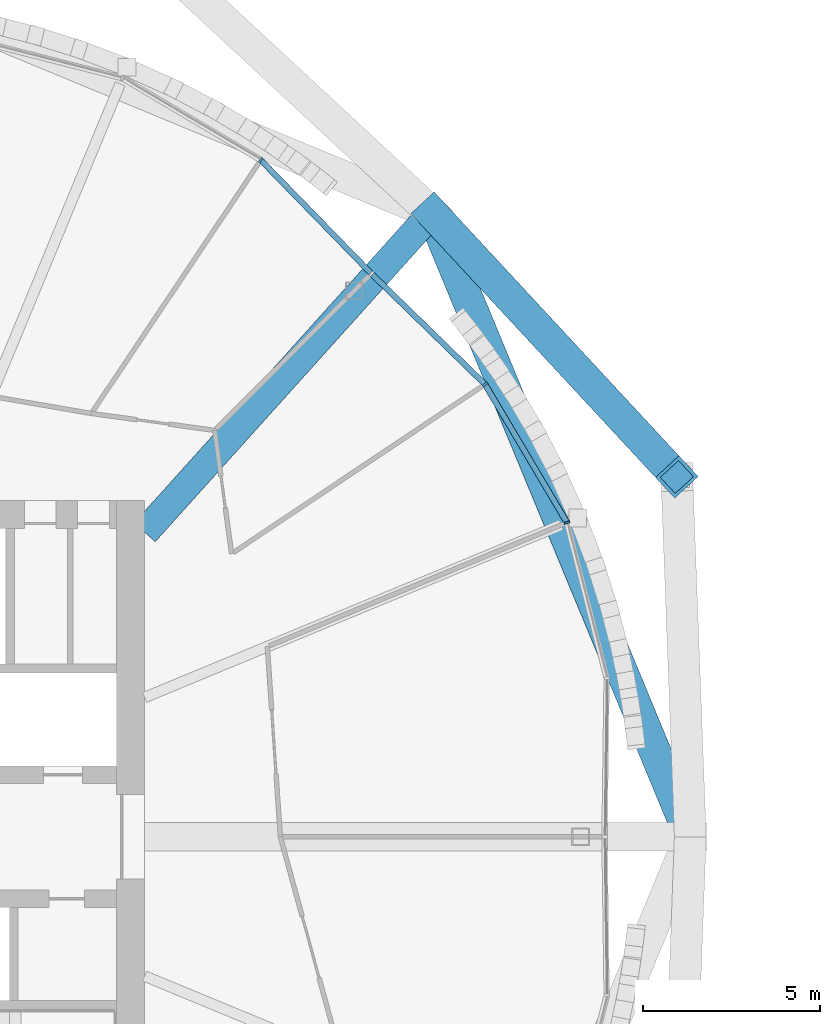
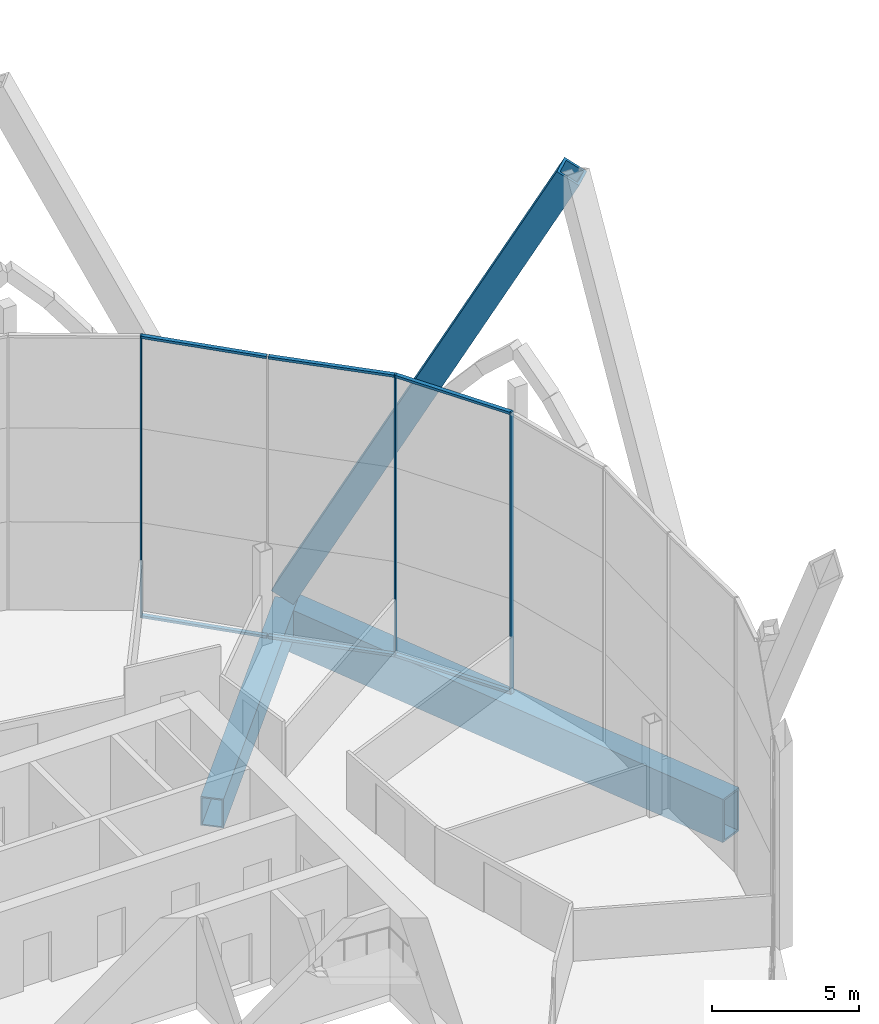
# One storey, part 12 of 37: 10 members, 2 beams, 2 elements without a shape of their own.
"""IFC4 building model written with IfcOpenShell, lengths in metres."""

from ifc_helpers import new_model, si_unit, direction, frame, origin, origin_2d, place, context, subcontext, project, spatial, rectangle, hollow_rectangle, extrude, material, material_profile, profile_set, type_object, element, aggregate, save


model = new_model("IFC4")

# Units and contexts
model_context = context("Model", 3, precision=1e-05, world=origin(), true_north=direction((0.0, 1.0)))
body_context = subcontext(model_context, "Body", "Model", "MODEL_VIEW")
ifc_project = project(units=[si_unit("LENGTHUNIT", "METRE"), si_unit("AREAUNIT", "SQUARE_METRE"), si_unit("VOLUMEUNIT", "CUBIC_METRE"), si_unit("PLANEANGLEUNIT", "RADIAN"), si_unit("MASSUNIT", "GRAM", prefix="KILO")], contexts=[model_context])

# Site, building, storey
site_placement = place(None, origin())
site = spatial("IfcSite", under=ifc_project, at=site_placement, CompositionType="ELEMENT")
building_placement = place(site_placement, origin())
building = spatial("IfcBuilding", under=site, at=building_placement, Name="Ogive Gate Towers", CompositionType="ELEMENT")
storey_placement = place(building_placement, frame((0.0, 0.0, 32.39990234375)))
storey = spatial("IfcBuildingStorey", under=building, at=storey_placement, Name="L06", CompositionType="ELEMENT", Elevation=32.39990234375)

# Member
ifc_material_1 = material(Name="Steel SM460", Category="steel")
ifc_material_profile_1 = material_profile(ifc_material_1, hollow_rectangle(XDim=0.89990234375, YDim=0.89990234375, WallThickness=0.10009765625, at=origin_2d()), Name="BX 900x900x100")
ifc_profile_set_1 = profile_set([ifc_material_profile_1], Name="Steel SM460")
member_type_1 = type_object("IfcMemberType", Name="Diagrid diagonal BX 900x900x100", PredefinedType="BRACE", material=ifc_profile_set_1)
member_1_placement = place(storey_placement, frame((-18.385986328125, 17.614013671875, 0.0), z_axis=(0.31444089886, -0.338942066201, 0.886704684144), x_axis=(0.733107278791, 0.68011301839, 0.0)))
element("IfcMember", 1, at=member_1_placement, inside=storey, type_object=member_type_1, Name="T1/L06/SDG003", PredefinedType="BRACE", context=body_context, shape_type="SweptSolid", body=[
    extrude(hollow_rectangle(XDim=0.89990234375, YDim=0.89990234375, WallThickness=0.10009765625, at=origin_2d()), origin(), (0.0, 0.0, 1.0), 21.991455078125),
])

# Beam
ifc_material_profile_2 = material_profile(ifc_material_1, hollow_rectangle(XDim=0.89990234375, YDim=1.800048828125, WallThickness=0.080078125, at=origin_2d()), Name="BX 1800x900x80")
ifc_profile_set_2 = profile_set([ifc_material_profile_2], Name="Steel SM460")
beam_type_1 = type_object("IfcBeamType", Name="Edge girder BX 1800x900x80", PredefinedType="BEAM", material=ifc_profile_set_2)
beam_1_placement = place(storey_placement, frame((-11.090087890625, 0.0, -1.199951171875), z_axis=(-0.382680526191, 0.923880736283, 0.0), x_axis=(-0.923880736283, -0.382680526191, 0.0)))
element("IfcBeam", 2, at=beam_1_placement, inside=storey, type_object=beam_type_1, Name="T1/L06/SBM020", PredefinedType="BEAM", context=body_context, shape_type="SweptSolid", body=[
    extrude(hollow_rectangle(XDim=0.89990234375, YDim=1.800048828125, WallThickness=0.080078125, at=origin_2d()), origin(), (0.0, 0.0, 1.0), 19.065185546875),
])

# Curtain wall, members
ifc_material_2 = material(Name="Pale metal aluminium", Category="aluminium")
curtain_wall_type = type_object("IfcCurtainWallType", Name="Tower unitised wall, low zone", PredefinedType="NOTDEFINED", material=ifc_material_2)
curtain_wall_1_placement = place(storey_placement, origin())
curtain_wall_1 = element("IfcCurtainWall", 3, at=curtain_wall_1_placement, inside=storey, type_object=curtain_wall_type, Name="CW1 T1 ECW01", PredefinedType="NOTDEFINED")
ifc_material_profile_3 = material_profile(ifc_material_2, rectangle(XDim=0.159912109375, YDim=0.06005859375, at=origin_2d()), Name="60 x 160 aluminium box")
ifc_profile_set_3 = profile_set([ifc_material_profile_3], Name="Pale metal aluminium")
member_type_2 = type_object("IfcMemberType", Name="Tower unitised wall, low zone mullion 60 x 160", PredefinedType="MULLION", material=ifc_profile_set_3)
member_2_placement = place(storey_placement, frame((-14.57421875, 8.874755859375, -0.2998046875), z_axis=(0.0, 0.0, 1.0), x_axis=(0.923879532511, 0.382683432365, 0.0)))
member_2 = element("IfcMember", 4, at=member_2_placement, type_object=member_type_2, Name="CW1 mullion", PredefinedType="MULLION", context=body_context, shape_type="SweptSolid", body=[
    extrude(rectangle(XDim=0.159912109375, YDim=0.06005859375, at=origin_2d()), origin(), (0.0, 0.0, 1.0), 11.699951171875),
])
member_3_placement = place(storey_placement, frame((-16.887451171875, 12.778076171875, -0.2998046875), z_axis=(0.0, 0.0, 1.0), x_axis=(0.785759744117, 0.61853182984, 0.0)))
member_3 = element("IfcMember", 5, at=member_3_placement, type_object=member_type_2, Name="CW1 mullion", PredefinedType="MULLION", context=body_context, shape_type="SweptSolid", body=[
    extrude(rectangle(XDim=0.159912109375, YDim=0.06005859375, at=origin_2d()), origin(), (0.0, 0.0, 1.0), 11.699951171875),
])

# Curtain wall, member
curtain_wall_2_placement = place(storey_placement, origin())
curtain_wall_2 = element("IfcCurtainWall", 6, at=curtain_wall_2_placement, inside=storey, type_object=curtain_wall_type, Name="CW1 T1 ECW02", PredefinedType="NOTDEFINED")
member_4_placement = place(storey_placement, frame((-23.221923828125, 19.112548828125, -0.2998046875), z_axis=(0.0, 0.0, 1.0), x_axis=(0.61853182984, 0.785759744117, 0.0)))
member_4 = element("IfcMember", 7, at=member_4_placement, type_object=member_type_2, Name="CW1 mullion", PredefinedType="MULLION", context=body_context, shape_type="SweptSolid", body=[
    extrude(rectangle(XDim=0.159912109375, YDim=0.06005859375, at=origin_2d()), origin(), (0.0, 0.0, 1.0), 11.699951171875),
])

# Member
ifc_material_profile_4 = material_profile(ifc_material_2, rectangle(XDim=0.159912109375, YDim=0.10009765625, at=origin_2d()), Name="100 x 160 aluminium box")
ifc_profile_set_4 = profile_set([ifc_material_profile_4], Name="Pale metal aluminium")
member_type_3 = type_object("IfcMemberType", Name="Tower unitised wall, low zone transom 100 x 160", PredefinedType="USERDEFINED", material=ifc_profile_set_4)
member_5_placement = place(storey_placement, frame((-14.58837890625, 8.898193359375, 11.35009765625), z_axis=(-0.509842699042, 0.860267645697, 0.0), x_axis=(-0.860267645697, -0.509842699042, 0.0)))
member_5 = element("IfcMember", 8, at=member_5_placement, type_object=member_type_3, Name="CW1 transom", ObjectType="TRANSOM", PredefinedType="USERDEFINED", context=body_context, shape_type="SweptSolid", body=[
    extrude(rectangle(XDim=0.159912109375, YDim=0.10009765625, at=origin_2d()), origin(), (0.0, 0.0, 1.0), 4.482666015625),
])

member_6_placement = place(storey_placement, frame((-14.58837890625, 8.898193359375, -0.25), z_axis=(-0.509842699042, 0.860267645697, 0.0), x_axis=(-0.860267645697, -0.509842699042, 0.0)))
member_6 = element("IfcMember", 9, at=member_6_placement, type_object=member_type_3, Name="CW1 transom", ObjectType="TRANSOM", PredefinedType="USERDEFINED", context=body_context, shape_type="SweptSolid", body=[
    extrude(rectangle(XDim=0.159912109375, YDim=0.10009765625, at=origin_2d()), origin(), (0.0, 0.0, 1.0), 4.482666015625),
])

member_7_placement = place(storey_placement, frame((-16.9072265625, 12.797119140625, 11.35009765625), z_axis=(-0.716512582651, 0.697574167313, 0.0), x_axis=(-0.697574167313, -0.716512582651, 0.0)))
member_7 = element("IfcMember", 10, at=member_7_placement, type_object=member_type_3, Name="CW1 transom", ObjectType="TRANSOM", PredefinedType="USERDEFINED", context=body_context, shape_type="SweptSolid", body=[
    extrude(rectangle(XDim=0.159912109375, YDim=0.10009765625, at=origin_2d()), origin(), (0.0, 0.0, 1.0), 4.421630859375),
])

member_8_placement = place(storey_placement, frame((-16.9072265625, 12.797119140625, -0.25), z_axis=(-0.716512582651, 0.697574167313, 0.0), x_axis=(-0.697574167313, -0.716512582651, 0.0)))
member_8 = element("IfcMember", 11, at=member_8_placement, type_object=member_type_3, Name="CW1 transom", ObjectType="TRANSOM", PredefinedType="USERDEFINED", context=body_context, shape_type="SweptSolid", body=[
    extrude(rectangle(XDim=0.159912109375, YDim=0.10009765625, at=origin_2d()), origin(), (0.0, 0.0, 1.0), 4.421630859375),
])

aggregate(curtain_wall_1, [member_2, member_3, member_5, member_6, member_7, member_8])

member_9_placement = place(storey_placement, frame((-20.118408203125, 15.924560546875, 11.35009765625), z_axis=(-0.697574167313, 0.716512582651, 0.0), x_axis=(-0.716512582651, -0.697574167313, 0.0)))
member_9 = element("IfcMember", 12, at=member_9_placement, type_object=member_type_3, Name="CW1 transom", ObjectType="TRANSOM", PredefinedType="USERDEFINED", context=body_context, shape_type="SweptSolid", body=[
    extrude(rectangle(XDim=0.159912109375, YDim=0.10009765625, at=origin_2d()), origin(), (0.0, 0.0, 1.0), 4.421630859375),
])

member_10_placement = place(storey_placement, frame((-20.118408203125, 15.924560546875, -0.25), z_axis=(-0.697574167313, 0.716512582651, 0.0), x_axis=(-0.716512582651, -0.697574167313, 0.0)))
member_10 = element("IfcMember", 13, at=member_10_placement, type_object=member_type_3, Name="CW1 transom", ObjectType="TRANSOM", PredefinedType="USERDEFINED", context=body_context, shape_type="SweptSolid", body=[
    extrude(rectangle(XDim=0.159912109375, YDim=0.10009765625, at=origin_2d()), origin(), (0.0, 0.0, 1.0), 4.421630859375),
])

aggregate(curtain_wall_2, [member_4, member_9, member_10])

# Beam
ifc_material_profile_5 = material_profile(ifc_material_1, hollow_rectangle(XDim=0.800048828125, YDim=1.199951171875, WallThickness=0.050048828125, at=origin_2d()), Name="BX 1200x800x50")
ifc_profile_set_5 = profile_set([ifc_material_profile_5], Name="Steel SM460")
beam_type_2 = type_object("IfcBeamType", Name="Transfer radial beam BX 1200x800x50", PredefinedType="BEAM", material=ifc_profile_set_5)
beam_2_placement = place(storey_placement, frame((-26.5, 8.60009765625, -0.89990234375), z_axis=(0.669032571491, 0.743233084761, 0.0), x_axis=(-0.743233084761, 0.669032571491, 0.0)))
element("IfcBeam", 14, at=beam_2_placement, inside=storey, type_object=beam_type_2, Name="T1/L06/SBM009", PredefinedType="BEAM", context=body_context, shape_type="SweptSolid", body=[
    extrude(hollow_rectangle(XDim=0.800048828125, YDim=1.199951171875, WallThickness=0.050048828125, at=origin_2d()), origin(), (0.0, 0.0, 1.0), 12.1279296875),
])

save(model, "model.ifc")
